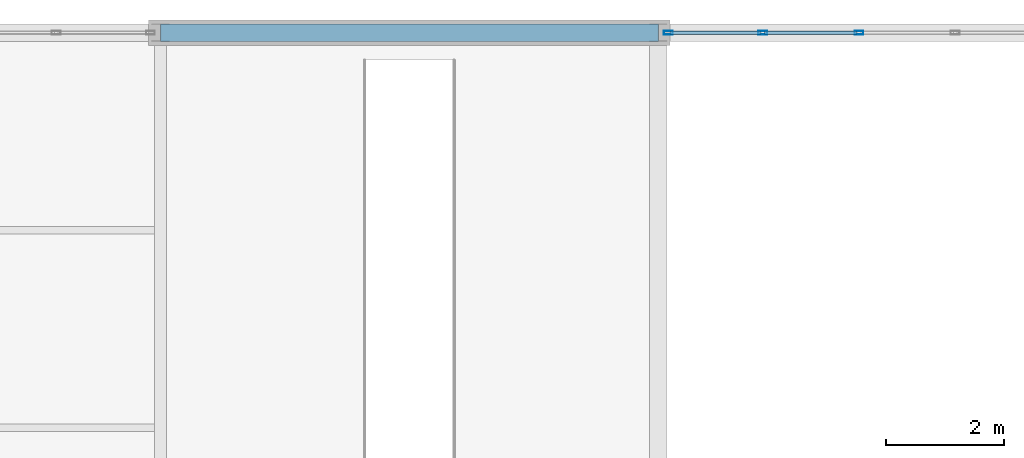
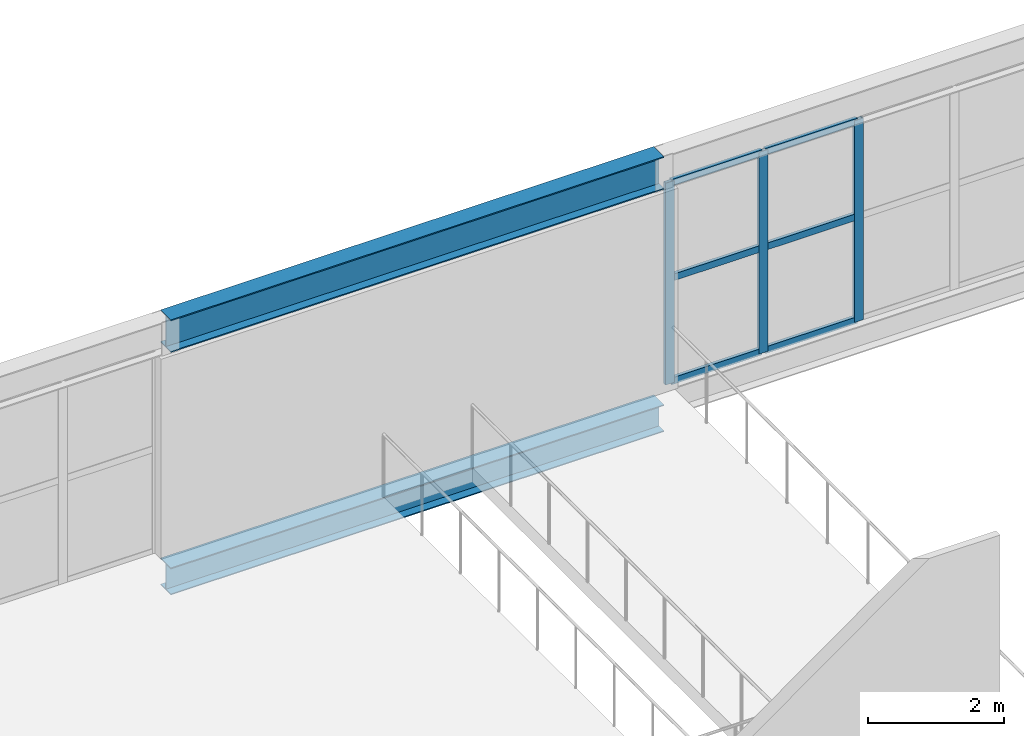
# One storey, part 161 of 218: 9 members, 2 beams, 1 element without a shape of its own.
"""IFC4 building model written with IfcOpenShell, lengths in metres."""

from ifc_helpers import new_model, si_unit, direction, frame, origin, origin_2d, place, context, subcontext, project, spatial, hollow_rectangle, i_section, extrude, material, material_profile, profile_set, type_object, element, aggregate, save


model = new_model("IFC4")

# Units and contexts
model_context = context("Model", 3, precision=1e-05, world=origin(), true_north=direction((0.0, 1.0)))
body_context = subcontext(model_context, "Body", "Model", "MODEL_VIEW")
ifc_project = project(units=[si_unit("LENGTHUNIT", "METRE"), si_unit("AREAUNIT", "SQUARE_METRE"), si_unit("VOLUMEUNIT", "CUBIC_METRE"), si_unit("PLANEANGLEUNIT", "RADIAN"), si_unit("MASSUNIT", "GRAM", prefix="KILO")], contexts=[model_context])

# Site, building, storey
site_placement = place(None, origin())
site = spatial("IfcSite", under=ifc_project, at=site_placement, CompositionType="ELEMENT")
building_placement = place(site_placement, origin())
building = spatial("IfcBuilding", under=site, at=building_placement, Name="Kazenagashi Tramway Depot", CompositionType="ELEMENT")
storey_placement = place(building_placement, frame((0.0, 0.0, 6.0)))
storey = spatial("IfcBuildingStorey", under=building, at=storey_placement, Name="L02", CompositionType="ELEMENT", Elevation=6.0)

# Curtain wall, members
ifc_material_1 = material(Name="Anodised Aluminium and Low-E Glazing", Category="aluminium")
curtain_wall_type = type_object("IfcCurtainWallType", Name="CW-15", PredefinedType="USERDEFINED", material=ifc_material_1)
curtain_wall_placement = place(storey_placement, origin())
curtain_wall = element("IfcCurtainWall", 1, at=curtain_wall_placement, inside=storey, type_object=curtain_wall_type, Name="Industrial Glazed Screen CW-15 CW-0059", ObjectType="GLAZED SCREEN", PredefinedType="USERDEFINED")
ifc_material_2 = material(Name="Anodised Aluminium", Category="aluminium")
ifc_material_profile_1 = material_profile(ifc_material_2, hollow_rectangle(XDim=0.06, YDim=0.15, WallThickness=0.004, at=origin_2d()), Name="RHS-150x60x4")
ifc_profile_set_1 = profile_set([ifc_material_profile_1], Name="Anodised Aluminium")
member_type_1 = type_object("IfcMemberType", Name="ML-01", PredefinedType="MULLION", material=ifc_profile_set_1)
member_1_placement = place(storey_placement, frame((61.77, 130.0, -0.02), z_axis=(0.0, 0.0, 1.0), x_axis=(0.0, 1.0, 0.0)))
member_1 = element("IfcMember", 2, at=member_1_placement, type_object=member_type_1, Name="CW-15 mullion 1", PredefinedType="MULLION", context=body_context, shape_type="SweptSolid", body=[
    extrude(hollow_rectangle(XDim=0.06, YDim=0.15, WallThickness=0.004, at=origin_2d()), origin(), (0.0, 0.0, 1.0), 3.632),
])
member_2_placement = place(storey_placement, frame((63.364, 130.0, -0.02), z_axis=(0.0, 0.0, 1.0), x_axis=(0.0, 1.0, 0.0)))
member_2 = element("IfcMember", 3, at=member_2_placement, type_object=member_type_1, Name="CW-15 mullion 2", PredefinedType="MULLION", context=body_context, shape_type="SweptSolid", body=[
    extrude(hollow_rectangle(XDim=0.06, YDim=0.15, WallThickness=0.004, at=origin_2d()), origin(), (0.0, 0.0, 1.0), 3.632),
])
member_3_placement = place(storey_placement, frame((64.988, 130.0, -0.02), z_axis=(0.0, 0.0, 1.0), x_axis=(0.0, 1.0, 0.0)))
member_3 = element("IfcMember", 4, at=member_3_placement, type_object=member_type_1, Name="CW-15 mullion 3", PredefinedType="MULLION", context=body_context, shape_type="SweptSolid", body=[
    extrude(hollow_rectangle(XDim=0.06, YDim=0.15, WallThickness=0.004, at=origin_2d()), origin(), (0.0, 0.0, 1.0), 3.632),
])

# Beams
ifc_material_3 = material(Name="Steel SN490B", Category="steel")
ifc_material_profile_2 = material_profile(ifc_material_3, i_section(OverallWidth=0.3, OverallDepth=0.588, WebThickness=0.012, FlangeThickness=0.02, at=origin_2d()), Name="H-588x300x12x20")
ifc_profile_set_2 = profile_set([ifc_material_profile_2], Name="Steel SN490B")
beam_type_1 = type_object("IfcBeamType", Name="SP-01", PredefinedType="SPANDREL", material=ifc_profile_set_2)
beam_1_placement = place(storey_placement, frame((53.2, 130.0, 3.906), z_axis=(1.0, 0.0, 0.0), x_axis=(0.0, 1.0, 0.0)))
element("IfcBeam", 5, at=beam_1_placement, inside=storey, type_object=beam_type_1, Name="Beam SP-01 BM-1881", PredefinedType="SPANDREL", context=body_context, shape_type="SweptSolid", body=[
    extrude(i_section(OverallWidth=0.3, OverallDepth=0.588, WebThickness=0.012, FlangeThickness=0.02, at=origin_2d()), origin(), (0.0, 0.0, 1.0), 8.4),
])
ifc_material_profile_3 = material_profile(ifc_material_3, i_section(OverallWidth=0.3, OverallDepth=0.488, WebThickness=0.011, FlangeThickness=0.018, at=origin_2d()), Name="H-488x300x11x18")
ifc_profile_set_3 = profile_set([ifc_material_profile_3], Name="Steel SN490B")
beam_type_2 = type_object("IfcBeamType", Name="SP-02", PredefinedType="SPANDREL", material=ifc_profile_set_3)
beam_2_placement = place(storey_placement, frame((53.2, 130.0, -0.509), z_axis=(1.0, 0.0, 0.0), x_axis=(0.0, 1.0, 0.0)))
element("IfcBeam", 6, at=beam_2_placement, inside=storey, type_object=beam_type_2, Name="Beam SP-02 BM-1800", PredefinedType="SPANDREL", context=body_context, shape_type="SweptSolid", body=[
    extrude(i_section(OverallWidth=0.3, OverallDepth=0.488, WebThickness=0.011, FlangeThickness=0.018, at=origin_2d()), origin(), (0.0, 0.0, 1.0), 8.4),
])

# Member
ifc_material_profile_4 = material_profile(ifc_material_2, hollow_rectangle(XDim=0.06, YDim=0.12, WallThickness=0.004, at=origin_2d()), Name="RHS-120x60x4")
ifc_profile_set_4 = profile_set([ifc_material_profile_4], Name="Anodised Aluminium")
member_type_2 = type_object("IfcMemberType", Name="TR-01", PredefinedType="USERDEFINED", material=ifc_profile_set_4)
member_4_placement = place(storey_placement, frame((61.8, 130.0, 0.01), z_axis=(1.0, 0.0, 0.0), x_axis=(0.0, 1.0, 0.0)))
member_4 = element("IfcMember", 7, at=member_4_placement, type_object=member_type_2, Name="CW-15 transom 1.1", ObjectType="TRANSOM", PredefinedType="USERDEFINED", context=body_context, shape_type="SweptSolid", body=[
    extrude(hollow_rectangle(XDim=0.06, YDim=0.12, WallThickness=0.004, at=origin_2d()), origin(), (0.0, 0.0, 1.0), 1.534),
])

member_5_placement = place(storey_placement, frame((61.8, 130.0, 1.869), z_axis=(1.0, 0.0, 0.0), x_axis=(0.0, 1.0, 0.0)))
member_5 = element("IfcMember", 8, at=member_5_placement, type_object=member_type_2, Name="CW-15 transom 1.2", ObjectType="TRANSOM", PredefinedType="USERDEFINED", context=body_context, shape_type="SweptSolid", body=[
    extrude(hollow_rectangle(XDim=0.06, YDim=0.12, WallThickness=0.004, at=origin_2d()), origin(), (0.0, 0.0, 1.0), 1.534),
])

member_6_placement = place(storey_placement, frame((61.8, 130.0, 3.582), z_axis=(1.0, 0.0, 0.0), x_axis=(0.0, 1.0, 0.0)))
member_6 = element("IfcMember", 9, at=member_6_placement, type_object=member_type_2, Name="CW-15 transom 1.3", ObjectType="TRANSOM", PredefinedType="USERDEFINED", context=body_context, shape_type="SweptSolid", body=[
    extrude(hollow_rectangle(XDim=0.06, YDim=0.12, WallThickness=0.004, at=origin_2d()), origin(), (0.0, 0.0, 1.0), 1.534),
])

member_7_placement = place(storey_placement, frame((63.394, 130.0, 0.01), z_axis=(1.0, 0.0, 0.0), x_axis=(0.0, 1.0, 0.0)))
member_7 = element("IfcMember", 10, at=member_7_placement, type_object=member_type_2, Name="CW-15 transom 2.1", ObjectType="TRANSOM", PredefinedType="USERDEFINED", context=body_context, shape_type="SweptSolid", body=[
    extrude(hollow_rectangle(XDim=0.06, YDim=0.12, WallThickness=0.004, at=origin_2d()), origin(), (0.0, 0.0, 1.0), 1.564),
])

member_8_placement = place(storey_placement, frame((63.394, 130.0, 1.869), z_axis=(1.0, 0.0, 0.0), x_axis=(0.0, 1.0, 0.0)))
member_8 = element("IfcMember", 11, at=member_8_placement, type_object=member_type_2, Name="CW-15 transom 2.2", ObjectType="TRANSOM", PredefinedType="USERDEFINED", context=body_context, shape_type="SweptSolid", body=[
    extrude(hollow_rectangle(XDim=0.06, YDim=0.12, WallThickness=0.004, at=origin_2d()), origin(), (0.0, 0.0, 1.0), 1.564),
])

member_9_placement = place(storey_placement, frame((63.394, 130.0, 3.582), z_axis=(1.0, 0.0, 0.0), x_axis=(0.0, 1.0, 0.0)))
member_9 = element("IfcMember", 12, at=member_9_placement, type_object=member_type_2, Name="CW-15 transom 2.3", ObjectType="TRANSOM", PredefinedType="USERDEFINED", context=body_context, shape_type="SweptSolid", body=[
    extrude(hollow_rectangle(XDim=0.06, YDim=0.12, WallThickness=0.004, at=origin_2d()), origin(), (0.0, 0.0, 1.0), 1.564),
])

aggregate(curtain_wall, [member_1, member_2, member_3, member_4, member_5, member_6, member_7, member_8, member_9])

save(model, "model.ifc")
